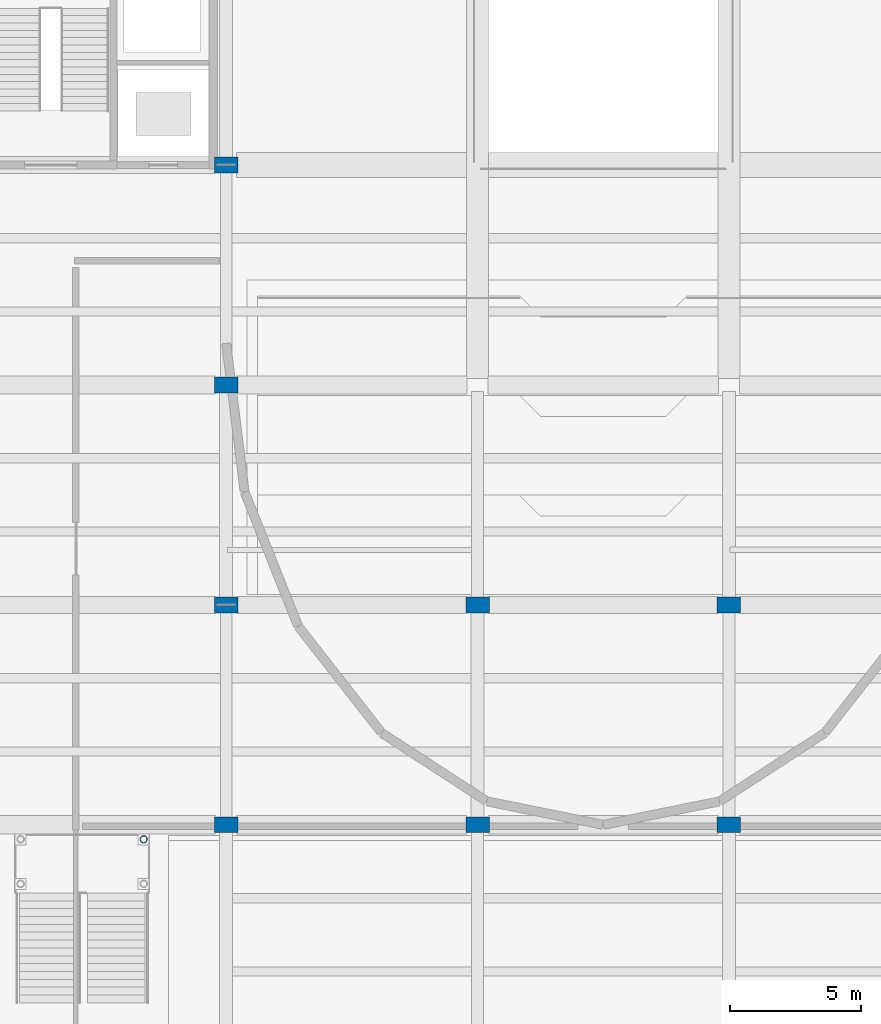
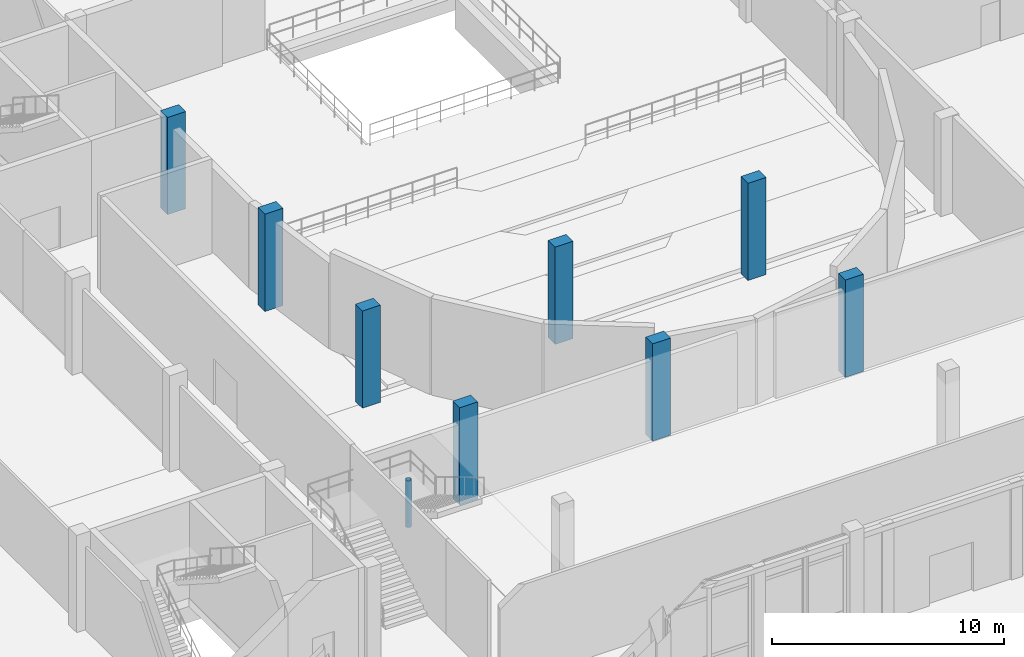
# One storey, part 9 of 71: 9 columns.
"""IFC4 building model written with IfcOpenShell, lengths in metres."""

from ifc_helpers import new_model, si_unit, direction, frame, origin, origin_2d, place, context, subcontext, project, spatial, rectangle, hollow_circle, extrude, material, material_profile, profile_set, type_object, element, save


model = new_model("IFC4")

# Units and contexts
model_context = context("Model", 3, precision=1e-05, world=origin(), true_north=direction((0.0, 1.0)))
body_context = subcontext(model_context, "Body", "Model", "MODEL_VIEW")
ifc_project = project(units=[si_unit("LENGTHUNIT", "METRE"), si_unit("AREAUNIT", "SQUARE_METRE"), si_unit("VOLUMEUNIT", "CUBIC_METRE"), si_unit("PLANEANGLEUNIT", "RADIAN"), si_unit("MASSUNIT", "GRAM", prefix="KILO")], contexts=[model_context])

# Site, building, storey
site_placement = place(None, origin())
site = spatial("IfcSite", under=ifc_project, at=site_placement, CompositionType="ELEMENT")
building_placement = place(site_placement, origin())
building = spatial("IfcBuilding", under=site, at=building_placement, Name="Lornevale Opera House", CompositionType="ELEMENT")
storey_placement = place(building_placement, origin())
storey = spatial("IfcBuildingStorey", under=building, at=storey_placement, Name="L01", CompositionType="ELEMENT", Elevation=0.0)

# Columns
ifc_material_1 = material(Name="Concrete 40 MPa (CSA A23.1 C-1)", Category="concrete")
ifc_material_profile_1 = material_profile(ifc_material_1, rectangle(XDim=0.89990234375, YDim=0.60009765625, at=origin_2d()), Name="RC900x600")
ifc_profile_set_1 = profile_set([ifc_material_profile_1], Name="Concrete 40 MPa (CSA A23.1 C-1)")
column_type_1 = type_object("IfcColumnType", Name="Auditorium Drum Pier 900x600", PredefinedType="COLUMN", material=ifc_profile_set_1)
for number, where, z_axis, x_axis, name in (
    (1, (67.199951171875, 33.60009765625, 0.0), (0.0, 0.0, 1.0), (1.0, 0.0, 0.0), "Auditorium Drum Pier 900x600 0434"),
    (2, (67.199951171875, 42.0, 0.0), (0.0, 0.0, 1.0), (1.0, 0.0, 0.0), "Auditorium Drum Pier 900x600 0440"),
    (3, (67.199951171875, 50.39990234375, 0.0), (0.0, 0.0, 1.0), (1.0, 0.0, 0.0), "Auditorium Drum Pier 900x600 0446"),
    (4, (67.199951171875, 58.800048828125, 0.0), (0.0, 0.0, 1.0), (1.0, 0.0, 0.0), "Auditorium Drum Pier 900x600 0453"),
    (5, (76.800048828125, 33.60009765625, 0.0), (0.0, 0.0, 1.0), (1.0, 0.0, 0.0), "Auditorium Drum Pier 900x600 0513"),
    (6, (76.800048828125, 42.0, 0.0), (0.0, 0.0, 1.0), (1.0, 0.0, 0.0), "Auditorium Drum Pier 900x600 0519"),
    (7, (86.39990234375, 33.60009765625, 0.0), (0.0, 0.0, 1.0), (1.0, 0.0, 0.0), "Auditorium Drum Pier 900x600 0563"),
    (8, (86.39990234375, 42.0, 0.0), (0.0, 0.0, 1.0), (1.0, 0.0, 0.0), "Auditorium Drum Pier 900x600 0569"),
):
    element("IfcColumn", number, at=place(storey_placement, frame(where, z_axis=z_axis, x_axis=x_axis)), inside=storey, type_object=column_type_1, Name=name, PredefinedType="COLUMN", context=body_context, shape_type="SweptSolid", body=[
        extrude(rectangle(XDim=0.89990234375, YDim=0.60009765625, at=origin_2d()), origin(), (0.0, 0.0, 1.0), 5.1201171875),
    ])
ifc_material_2 = material(Name="Structural Steel CSA G40.21 Grade 350W (350 MPa)", Category="steel")
ifc_material_profile_2 = material_profile(ifc_material_2, hollow_circle(Radius=0.136474609375, WallThickness=0.010986328125, at=origin_2d()), Name="HSS273x11")
ifc_profile_set_2 = profile_set([ifc_material_profile_2], Name="Structural Steel CSA G40.21 Grade 350W (350 MPa)")
column_type_2 = type_object("IfcColumnType", Name="Promenade Ramp Mast HSS273x11", PredefinedType="COLUMN", material=ifc_profile_set_2)
column_placement = place(storey_placement, frame((64.050048828125, 33.050048828125, 0.0), z_axis=(0.0, 0.0, 1.0), x_axis=(1.0, 0.0, 0.0)))
element("IfcColumn", 9, at=column_placement, inside=storey, type_object=column_type_2, Name="Grand Stair Landing Post L01 1128", PredefinedType="COLUMN", context=body_context, shape_type="SweptSolid", body=[
    extrude(hollow_circle(Radius=0.136474609375, WallThickness=0.010986328125, at=origin_2d()), origin(), (0.0, 0.0, 1.0), 2.4599609375),
])

save(model, "model.ifc")
